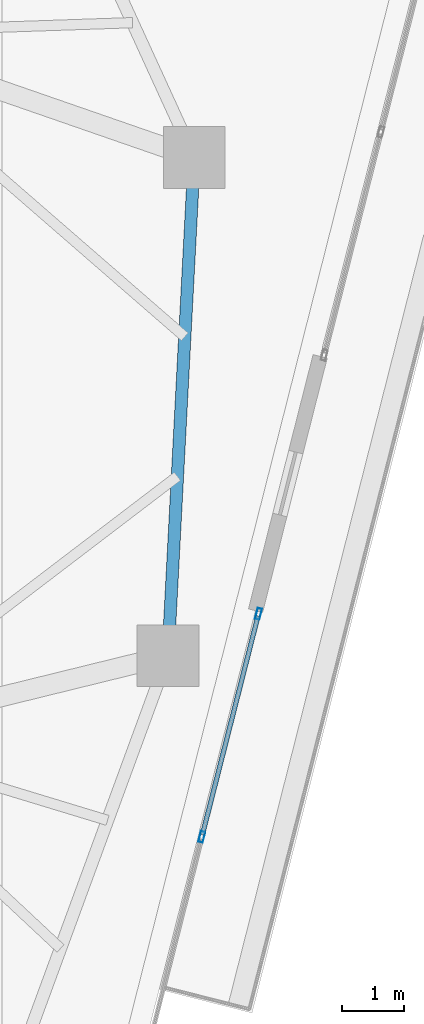
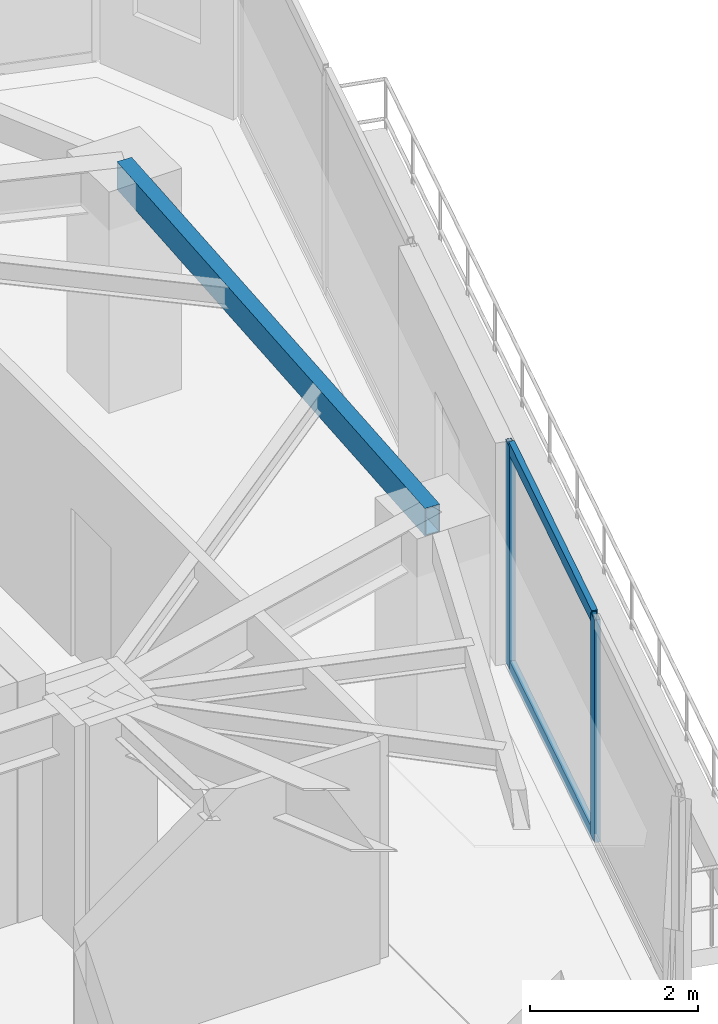
# One storey, part 9 of 21: 4 members, 1 beam, 1 element without a shape of its own.
"""IFC4 building model written with IfcOpenShell, lengths in metres."""

from ifc_helpers import new_model, si_unit, direction, frame, origin, origin_2d, place, context, subcontext, project, spatial, hollow_rectangle, extrude, source, transform, mapped, material, layer, layer_set, material_profile, profile_set, type_object, type_shapes, element, aggregate, save


model = new_model("IFC4")

# Units and contexts
model_context = context("Model", 3, precision=1e-05, world=origin(), true_north=direction((0.0, 1.0)))
body_context = subcontext(model_context, "Body", "Model", "MODEL_VIEW")
ifc_project = project(units=[si_unit("LENGTHUNIT", "METRE"), si_unit("AREAUNIT", "SQUARE_METRE"), si_unit("VOLUMEUNIT", "CUBIC_METRE"), si_unit("PLANEANGLEUNIT", "RADIAN"), si_unit("MASSUNIT", "GRAM", prefix="KILO")], contexts=[model_context])

# Site, building, storey
site_placement = place(None, origin())
site = spatial("IfcSite", under=ifc_project, at=site_placement, CompositionType="ELEMENT")
building_placement = place(site_placement, origin())
building = spatial("IfcBuilding", under=site, at=building_placement, Name="Talar Marvaseh", CompositionType="ELEMENT")
storey_placement = place(building_placement, frame((0.0, 0.0, 184.5)))
storey = spatial("IfcBuildingStorey", under=building, at=storey_placement, Name="L48", CompositionType="ELEMENT", Elevation=184.5)

# Beam
ifc_material_1 = material(Name="Steel S355", Category="steel")
ifc_material_profile_1 = material_profile(ifc_material_1, hollow_rectangle(XDim=0.199951171875, YDim=0.39990234375, WallThickness=0.013916015625, at=origin_2d()), Name="RHS400x200x14")
ifc_profile_set_1 = profile_set([ifc_material_profile_1], Name="Steel S355")
beam_type = type_object("IfcBeamType", Name="Zone 3 Perimeter Spandrel Beam RHS400x200x14", PredefinedType="SPANDREL", material=ifc_profile_set_1)
beam_placement = place(storey_placement, frame((39.113037109375, 34.884033203125, 3.030029296875), z_axis=(-0.052541369293, -0.998618748328, 0.0), x_axis=(0.998618748328, -0.052541369293, 0.0)))
element("IfcBeam", 1, at=beam_placement, inside=storey, type_object=beam_type, Name="L48 Zone 3 Perimeter Spandrel Beam RHS400x200x14", PredefinedType="SPANDREL", context=body_context, shape_type="SweptSolid", body=[
    extrude(hollow_rectangle(XDim=0.199951171875, YDim=0.39990234375, WallThickness=0.013916015625, at=origin_2d()), origin(), (0.0, 0.0, 1.0), 8.0712890625),
])

# Curtain wall, members
ifc_material_2 = material(Name="Architectural Aluminium", Category="aluminium")
ifc_layer = layer(ifc_material_2, 0.18994140625)
ifc_layer_set = layer_set([ifc_layer], Name="Architectural Aluminium")
curtain_wall_type = type_object("IfcCurtainWallType", Name="Unitised Solar Atelier Curtain Wall Z3", PredefinedType="NOTDEFINED", material=ifc_layer_set)
curtain_wall_placement = place(storey_placement, origin())
curtain_wall = element("IfcCurtainWall", 2, at=curtain_wall_placement, inside=storey, type_object=curtain_wall_type, Name="L48 Unitised Solar Atelier Curtain Wall Z3", PredefinedType="NOTDEFINED")
ifc_material_profile_2 = material_profile(ifc_material_2, hollow_rectangle(XDim=0.074951171875, YDim=0.179931640625, WallThickness=0.0048828125, at=origin_2d()), Name="RHS180x75x5")
ifc_profile_set_2 = profile_set([ifc_material_profile_2], Name="Architectural Aluminium")
member_type_1 = type_object("IfcMemberType", Name="Unitised Curtain Wall Standard Mullion RHS180x75x5", PredefinedType="MULLION", material=ifc_profile_set_2)
shared_shape_1 = source(origin(), body_context, "Body", "SweptSolid", [
    extrude(hollow_rectangle(XDim=0.074951171875, YDim=0.179931640625, WallThickness=0.0048828125, at=origin_2d()), origin(), (0.0, 0.0, 1.0), 3.22998046875),
])
type_shapes(member_type_1, [shared_shape_1])
member_1_placement = place(storey_placement, frame((40.153564453125, 27.50146484375, 0.0), z_axis=(0.0, 0.0, 1.0), x_axis=(0.969192093782, -0.246306080618, 0.0)))
member_1 = element("IfcMember", 3, at=member_1_placement, type_object=member_type_1, Name="CW-Z3 mullion 1", PredefinedType="MULLION", context=body_context, shape_type="MappedRepresentation", body=[
    mapped(shared_shape_1, transform((0.0, 0.0, 0.0), x_axis=(1.0, 0.0, 0.0), y_axis=(0.0, 1.0, 0.0), z_axis=(0.0, 0.0, 1.0), scale=1.0)),
])
member_2_placement = place(storey_placement, frame((39.236572265625, 23.892578125, 0.0), z_axis=(0.0, 0.0, 1.0), x_axis=(0.969192093782, -0.246306080618, 0.0)))
member_2 = element("IfcMember", 4, at=member_2_placement, type_object=member_type_1, Name="CW-Z3 mullion 2", PredefinedType="MULLION", context=body_context, shape_type="MappedRepresentation", body=[
    mapped(shared_shape_1, transform((0.0, 0.0, 0.0), x_axis=(1.0, 0.0, 0.0), y_axis=(0.0, 1.0, 0.0), z_axis=(0.0, 0.0, 1.0), scale=1.0)),
])
ifc_material_profile_3 = material_profile(ifc_material_2, hollow_rectangle(XDim=0.074951171875, YDim=0.179931640625, WallThickness=0.0048828125, at=origin_2d()), Name="RHS180x75x5")
ifc_profile_set_3 = profile_set([ifc_material_profile_3], Name="Architectural Aluminium")
member_type_2 = type_object("IfcMemberType", Name="Unitised Curtain Wall Transom RHS180x75x5", PredefinedType="USERDEFINED", material=ifc_profile_set_3)
shared_shape_2 = source(origin(), body_context, "Body", "SweptSolid", [
    extrude(hollow_rectangle(XDim=0.074951171875, YDim=0.179931640625, WallThickness=0.0048828125, at=origin_2d()), origin(), (0.0, 0.0, 1.0), 3.6484375),
])
type_shapes(member_type_2, [shared_shape_2])
member_3_placement = place(storey_placement, frame((40.14453125, 27.465087890625, 0.03759765625), z_axis=(-0.246312489752, -0.969190464972, 0.0), x_axis=(0.969190464972, -0.246312489752, 0.0)))
member_3 = element("IfcMember", 5, at=member_3_placement, type_object=member_type_2, Name="CW-Z3 transom 1.1", ObjectType="TRANSOM", PredefinedType="USERDEFINED", context=body_context, shape_type="MappedRepresentation", body=[
    mapped(shared_shape_2, transform((0.0, 0.0, 0.0), x_axis=(1.0, 0.0, 0.0), y_axis=(0.0, 1.0, 0.0), z_axis=(0.0, 0.0, 1.0), scale=1.0)),
])
member_4_placement = place(storey_placement, frame((40.14453125, 27.465087890625, 3.1923828125), z_axis=(-0.246312489752, -0.969190464972, 0.0), x_axis=(0.969190464972, -0.246312489752, 0.0)))
member_4 = element("IfcMember", 6, at=member_4_placement, type_object=member_type_2, Name="CW-Z3 transom 1.2", ObjectType="TRANSOM", PredefinedType="USERDEFINED", context=body_context, shape_type="MappedRepresentation", body=[
    mapped(shared_shape_2, transform((0.0, 0.0, 0.0), x_axis=(1.0, 0.0, 0.0), y_axis=(0.0, 1.0, 0.0), z_axis=(0.0, 0.0, 1.0), scale=1.0)),
])
aggregate(curtain_wall, [member_1, member_2, member_3, member_4])

save(model, "model.ifc")
